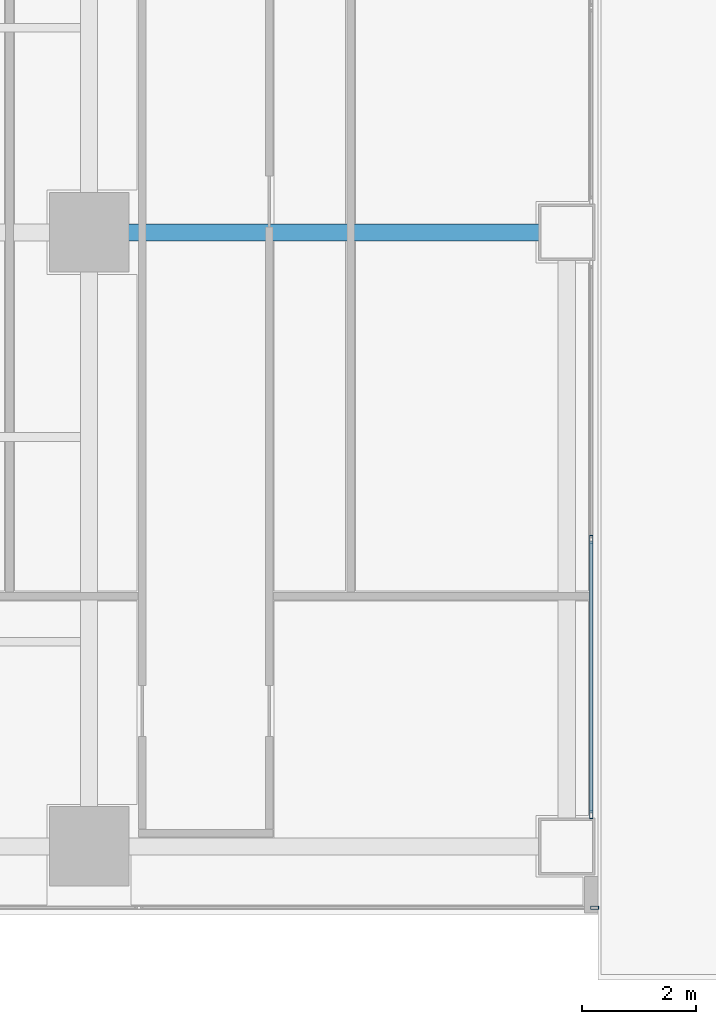
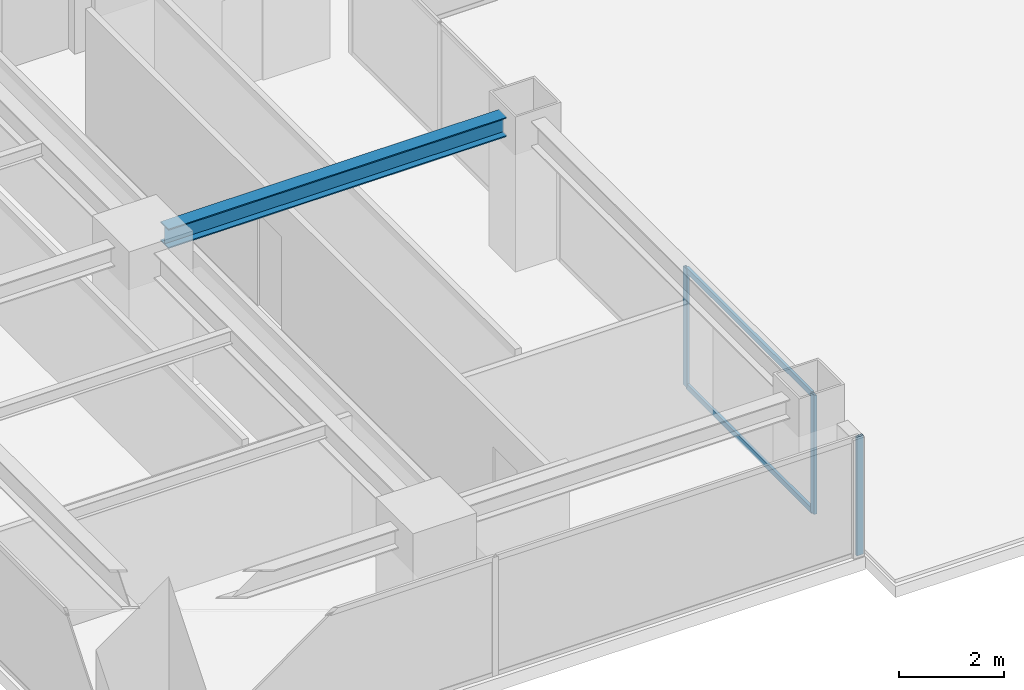
# One storey, part 5 of 30: 5 members, 1 beam, 2 elements without a shape of their own.
"""IFC4 building model written with IfcOpenShell, lengths in metres."""

from ifc_helpers import new_model, si_unit, direction, frame, origin, origin_2d, place, context, subcontext, project, spatial, hollow_rectangle, i_section, extrude, source, transform, mapped, material, layer, layer_set, material_profile, profile_set, type_object, element, aggregate, save


model = new_model("IFC4")

# Units and contexts
model_context = context("Model", 3, precision=1e-05, world=origin(), true_north=direction((0.0, 1.0)))
body_context = subcontext(model_context, "Body", "Model", "MODEL_VIEW")
ifc_project = project(units=[si_unit("LENGTHUNIT", "METRE"), si_unit("AREAUNIT", "SQUARE_METRE"), si_unit("VOLUMEUNIT", "CUBIC_METRE"), si_unit("PLANEANGLEUNIT", "RADIAN"), si_unit("MASSUNIT", "GRAM", prefix="KILO")], contexts=[model_context])

# Site, building, storey
site_placement = place(None, origin())
site = spatial("IfcSite", under=ifc_project, at=site_placement, CompositionType="ELEMENT")
building_placement = place(site_placement, origin())
building = spatial("IfcBuilding", under=site, at=building_placement, Name="Sumidabori Civic Tower", CompositionType="ELEMENT")
storey_placement = place(building_placement, frame((0.0, 0.0, 196.39990234375)))
storey = spatial("IfcBuildingStorey", under=building, at=storey_placement, Name="L50", CompositionType="ELEMENT", Elevation=196.39990234375)

# Beam
ifc_material_1 = material(Name="Steel SN490", Category="steel")
ifc_material_profile_1 = material_profile(ifc_material_1, i_section(OverallWidth=0.300048828125, OverallDepth=0.449951171875, WebThickness=0.013916015625, FlangeThickness=0.02587890625, at=origin_2d()), Name="HE 450 B")
ifc_profile_set_1 = profile_set([ifc_material_profile_1], Name="Steel SN490")
beam_type = type_object("IfcBeamType", Name="BM-GIRD-450", PredefinedType="BEAM", material=ifc_profile_set_1)
shared_shape_1 = source(origin(), body_context, "Body", "SweptSolid", [
    extrude(i_section(OverallWidth=0.300048828125, OverallDepth=0.449951171875, WebThickness=0.013916015625, FlangeThickness=0.02587890625, at=origin_2d()), origin(), (0.0, 0.0, 1.0), 7.440185546875),
])
beam_placement = place(storey_placement, frame((-16.320068359375, 0.0, 3.155029296875), z_axis=(1.0, 0.0, 0.0), x_axis=(0.0, 1.0, 0.0)))
element("IfcBeam", 1, at=beam_placement, inside=storey, type_object=beam_type, Name="Primary Girder L50 GX-06", PredefinedType="BEAM", context=body_context, shape_type="MappedRepresentation", body=[
    mapped(shared_shape_1, transform((0.0, 0.0, 0.0), x_axis=(1.0, 0.0, 0.0), y_axis=(0.0, 1.0, 0.0), z_axis=(0.0, 0.0, 1.0), scale=1.0)),
])

# Curtain wall, member
ifc_material_2 = material(Name="Anodised Bronze Aluminium AW-6063-T6", Category="aluminium")
ifc_layer_1 = layer(ifc_material_2, 0.179931640625, Name="Anodised Bronze Aluminium AW-6063-T6")
ifc_layer_set_1 = layer_set([ifc_layer_1], Name="Anodised Bronze Aluminium AW-6063-T6")
curtain_wall_type_1 = type_object("IfcCurtainWallType", Name="CW-SYS-5", PredefinedType="NOTDEFINED", material=ifc_layer_set_1)
curtain_wall_1_placement = place(storey_placement, origin())
curtain_wall_1 = element("IfcCurtainWall", 2, at=curtain_wall_1_placement, inside=storey, type_object=curtain_wall_type_1, Name="Curtain Wall CW:L50:R01", PredefinedType="NOTDEFINED")
ifc_material_profile_2 = material_profile(ifc_material_2, hollow_rectangle(XDim=0.06005859375, YDim=0.139892578125, WallThickness=0.0048828125, at=origin_2d()), Name="ALU MULLION 140x60")
ifc_profile_set_2 = profile_set([ifc_material_profile_2], Name="Anodised Bronze Aluminium AW-6063-T6")
member_type_1 = type_object("IfcMemberType", Name="CW-MUL-140", PredefinedType="MULLION", material=ifc_profile_set_2)
shared_shape_2 = source(origin(), body_context, "Body", "SweptSolid", [
    extrude(hollow_rectangle(XDim=0.06005859375, YDim=0.139892578125, WallThickness=0.0048828125, at=origin_2d()), origin(), (0.0, 0.0, 1.0), 2.760009765625),
])
member_1_placement = place(storey_placement, frame((-7.909912109375, -11.8798828125, 0.0), z_axis=(0.0, 0.0, 1.0), x_axis=(0.0, 1.0, 0.0)))
member_1 = element("IfcMember", 3, at=member_1_placement, type_object=member_type_1, Name="CW-5 mullion 3", PredefinedType="MULLION", context=body_context, shape_type="MappedRepresentation", body=[
    mapped(shared_shape_2, transform((0.0, 0.0, 0.0), x_axis=(1.0, 0.0, 0.0), y_axis=(0.0, 1.0, 0.0), z_axis=(0.0, 0.0, 1.0), scale=1.0)),
])
aggregate(curtain_wall_1, [member_1])

# Curtain wall, members
ifc_layer_2 = layer(ifc_material_2, 0.179931640625, Name="Anodised Bronze Aluminium AW-6063-T6")
ifc_layer_set_2 = layer_set([ifc_layer_2], Name="Anodised Bronze Aluminium AW-6063-T6")
curtain_wall_type_2 = type_object("IfcCurtainWallType", Name="CW-SYS-4", PredefinedType="NOTDEFINED", material=ifc_layer_set_2)
curtain_wall_2_placement = place(storey_placement, origin())
curtain_wall_2 = element("IfcCurtainWall", 4, at=curtain_wall_2_placement, inside=storey, type_object=curtain_wall_type_2, Name="Curtain Wall CW:L50:R03", PredefinedType="NOTDEFINED")
member_2_placement = place(storey_placement, frame((-7.969970703125, -10.239990234375, 0.0), z_axis=(0.0, 0.0, 1.0), x_axis=(-1.0, 0.0, 0.0)))
member_2 = element("IfcMember", 5, at=member_2_placement, type_object=member_type_1, Name="CW-4 mullion 1", PredefinedType="MULLION", context=body_context, shape_type="MappedRepresentation", body=[
    mapped(shared_shape_2, transform((0.0, 0.0, 0.0), x_axis=(1.0, 0.0, 0.0), y_axis=(0.0, 1.0, 0.0), z_axis=(0.0, 0.0, 1.0), scale=1.0)),
])
member_3_placement = place(storey_placement, frame((-7.969970703125, -5.39990234375, 0.0), z_axis=(0.0, 0.0, 1.0), x_axis=(-1.0, 0.0, 0.0)))
member_3 = element("IfcMember", 6, at=member_3_placement, type_object=member_type_1, Name="CW-4 mullion 2", PredefinedType="MULLION", context=body_context, shape_type="MappedRepresentation", body=[
    mapped(shared_shape_2, transform((0.0, 0.0, 0.0), x_axis=(1.0, 0.0, 0.0), y_axis=(0.0, 1.0, 0.0), z_axis=(0.0, 0.0, 1.0), scale=1.0)),
])
ifc_material_profile_3 = material_profile(ifc_material_2, hollow_rectangle(XDim=0.06005859375, YDim=0.1298828125, WallThickness=0.0048828125, at=origin_2d()), Name="ALU TRANSOM 130x60")
ifc_profile_set_3 = profile_set([ifc_material_profile_3], Name="Anodised Bronze Aluminium AW-6063-T6")
member_type_2 = type_object("IfcMemberType", Name="CW-TRN-130", PredefinedType="USERDEFINED", material=ifc_profile_set_3)
shared_shape_3 = source(origin(), body_context, "Body", "SweptSolid", [
    extrude(hollow_rectangle(XDim=0.06005859375, YDim=0.1298828125, WallThickness=0.0048828125, at=origin_2d()), origin(), (0.0, 0.0, 1.0), 4.780029296875),
])
member_4_placement = place(storey_placement, frame((-7.969970703125, -10.2099609375, 0.030029296875), z_axis=(0.0, 1.0, 0.0), x_axis=(-1.0, 0.0, 0.0)))
member_4 = element("IfcMember", 7, at=member_4_placement, type_object=member_type_2, Name="CW-4 transom 1.1", ObjectType="TRANSOM", PredefinedType="USERDEFINED", context=body_context, shape_type="MappedRepresentation", body=[
    mapped(shared_shape_3, transform((0.0, 0.0, 0.0), x_axis=(1.0, 0.0, 0.0), y_axis=(0.0, 1.0, 0.0), z_axis=(0.0, 0.0, 1.0), scale=1.0)),
])
member_5_placement = place(storey_placement, frame((-7.969970703125, -10.2099609375, 2.72998046875), z_axis=(0.0, 1.0, 0.0), x_axis=(-1.0, 0.0, 0.0)))
member_5 = element("IfcMember", 8, at=member_5_placement, type_object=member_type_2, Name="CW-4 transom 1.2", ObjectType="TRANSOM", PredefinedType="USERDEFINED", context=body_context, shape_type="MappedRepresentation", body=[
    mapped(shared_shape_3, transform((0.0, 0.0, 0.0), x_axis=(1.0, 0.0, 0.0), y_axis=(0.0, 1.0, 0.0), z_axis=(0.0, 0.0, 1.0), scale=1.0)),
])
aggregate(curtain_wall_2, [member_2, member_3, member_4, member_5])

save(model, "model.ifc")
